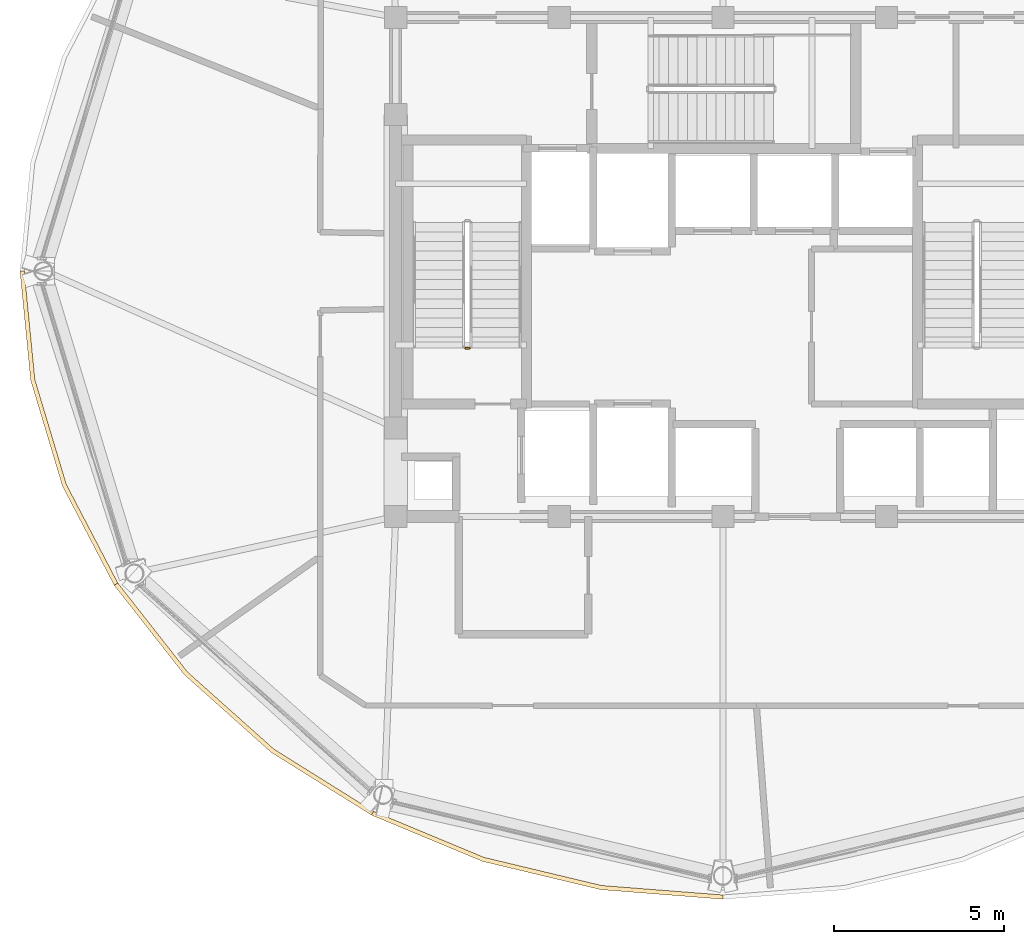
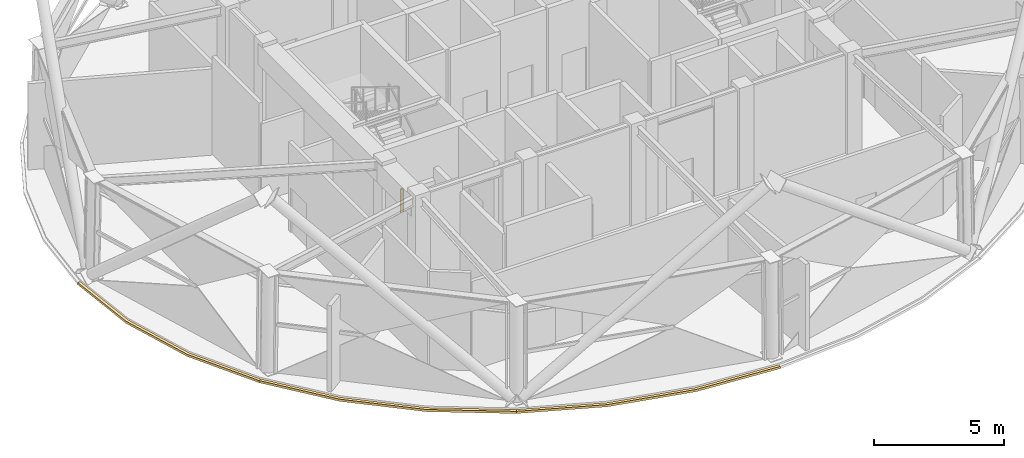
# One storey, part 11 of 14: 3 coverings, 1 railing.
"""IFC4 building model written with IfcOpenShell, lengths in metres."""

from ifc_helpers import new_model, si_unit, direction, frame, origin, origin_2d, place, context, subcontext, project, spatial, polyline, rectangle, outline, extrude, material, layer, layer_set, type_object, element, save


model = new_model("IFC4")

# Units and contexts
model_context = context("Model", 3, precision=1e-05, world=origin(), true_north=direction((0.0, 1.0)))
body_context = subcontext(model_context, "Body", "Model", "MODEL_VIEW")
ifc_project = project(units=[si_unit("LENGTHUNIT", "METRE"), si_unit("AREAUNIT", "SQUARE_METRE"), si_unit("VOLUMEUNIT", "CUBIC_METRE"), si_unit("PLANEANGLEUNIT", "RADIAN"), si_unit("MASSUNIT", "GRAM", prefix="KILO")], contexts=[model_context])

# Site, building, storey
site_placement = place(None, origin())
site = spatial("IfcSite", under=ifc_project, at=site_placement, CompositionType="ELEMENT")
building_placement = place(site_placement, origin())
building = spatial("IfcBuilding", under=site, at=building_placement, Name="Vantalir Tower", CompositionType="ELEMENT")
storey_placement = place(building_placement, frame((0.0, 0.0, 259.050048828125)))
storey = spatial("IfcBuildingStorey", under=building, at=storey_placement, Name="L65", CompositionType="ELEMENT", Elevation=259.050048828125)

# Coverings
ifc_material_1 = material(Name="Anodised champagne aluminium sill fascia", Category="aluminium")
ifc_layer = layer(ifc_material_1, 0.125)
ifc_layer_set = layer_set([ifc_layer], Name="Anodised champagne aluminium sill fascia")
covering_type = type_object("IfcCoveringType", Name="COV-SLAB-FASCIA-125", PredefinedType="CLADDING", material=ifc_layer_set)
covering_1_placement = place(storey_placement, frame((0.0, 0.0, -0.179931640625)))
element("IfcCovering", 1, at=covering_1_placement, inside=storey, type_object=covering_type, Name="L65 Perimeter Slab-Edge Sill Fascia 07", PredefinedType="CLADDING", context=body_context, shape_type="SweptSolid", body=[
    extrude(outline(polyline([(10.875, 25.0), (11.18798828125, 21.800048828125), (12.118896484375, 18.697021484375), (13.637939453125, 15.784912109375), (13.74609375, 15.847900390625), (12.236083984375, 18.739990234375), (11.31103515625, 21.822021484375), (11.0, 25.0), (10.875, 25.0)])), origin(), (0.0, 0.0, 1.0), 0.10498046875),
])
covering_2_placement = place(storey_placement, frame((0.0, 0.0, -0.179931640625)))
element("IfcCovering", 2, at=covering_2_placement, inside=storey, type_object=covering_type, Name="L65 Perimeter Slab-Edge Sill Fascia 08", PredefinedType="CLADDING", context=body_context, shape_type="SweptSolid", body=[
    extrude(outline(polyline([(13.637939453125, 15.784912109375), (15.699951171875, 13.154052734375), (18.242919921875, 10.883056640625), (21.18701171875, 9.0400390625), (21.25, 9.14794921875), (18.322998046875, 10.97802734375), (15.7958984375, 13.23388671875), (13.74609375, 15.847900390625), (13.637939453125, 15.784912109375)])), origin(), (0.0, 0.0, 1.0), 0.10498046875),
])
covering_3_placement = place(storey_placement, frame((0.0, 0.0, -0.179931640625)))
element("IfcCovering", 3, at=covering_3_placement, inside=storey, type_object=covering_type, Name="L65 Perimeter Slab-Edge Sill Fascia 09", PredefinedType="CLADDING", context=body_context, shape_type="SweptSolid", body=[
    extrude(outline(polyline([(21.18701171875, 9.0400390625), (24.446044921875, 7.681884765625), (27.9189453125, 6.85107421875), (31.5, 6.571044921875), (31.5, 6.696044921875), (27.93994140625, 6.97412109375), (24.489013671875, 7.800048828125), (21.25, 9.14794921875), (21.18701171875, 9.0400390625)])), origin(), (0.0, 0.0, 1.0), 0.10498046875),
])

# Railing
ifc_material_2 = material(Name="Anodised aluminium and stainless steel guard", Category="steel")
railing_type = type_object("IfcRailingType", Name="RAL-GUARD-1120", PredefinedType="GUARDRAIL", material=ifc_material_2)
railing_placement = place(storey_placement, frame((24.06005859375, 22.739990234375, 0.0)))
element("IfcRailing", 4, at=railing_placement, inside=storey, type_object=railing_type, Name="L65 ST1 stair guard 4", PredefinedType="GUARDRAIL", context=body_context, shape_type="SweptSolid", body=[
    extrude(rectangle(XDim=0.048095703125, YDim=0.048095703125, at=origin_2d()), frame((0.0, 0.0, 1.09619140625), z_axis=(-1.0, 0.0, 0.0), x_axis=(0.0, -1.0, 0.0)), (0.0, 0.0, 1.0), 0.1201171875),
    extrude(rectangle(XDim=0.0419921875, YDim=0.0419921875, at=origin_2d()), origin(), (0.0, 0.0, 1.0), 1.072021484375),
    extrude(rectangle(XDim=0.0419921875, YDim=0.0419921875, at=origin_2d()), frame((-0.1201171875, 0.0, 0.0)), (0.0, 0.0, 1.0), 1.072021484375),
])

save(model, "model.ifc")
